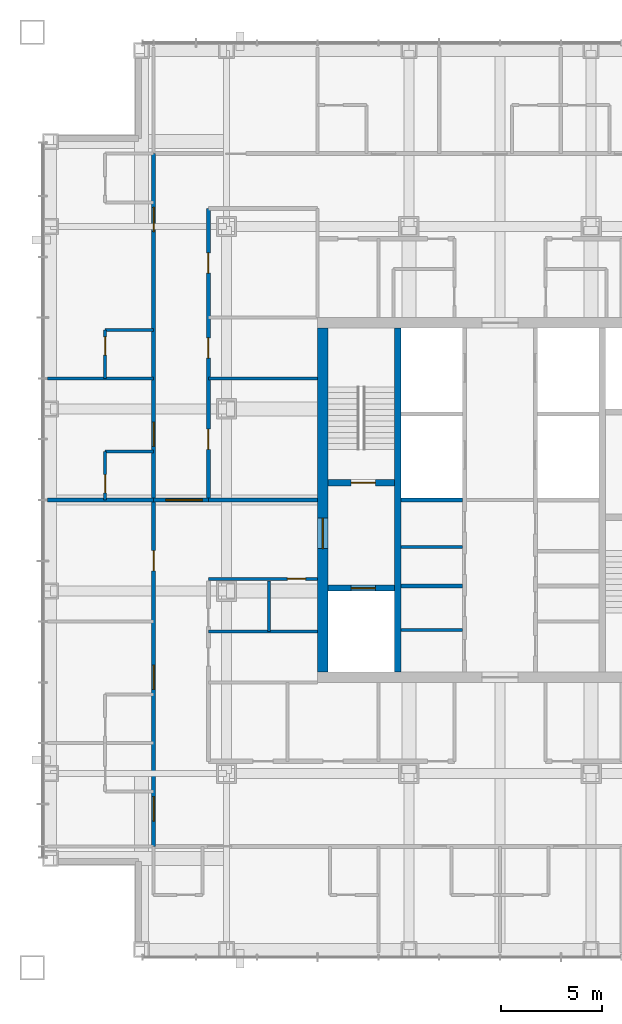
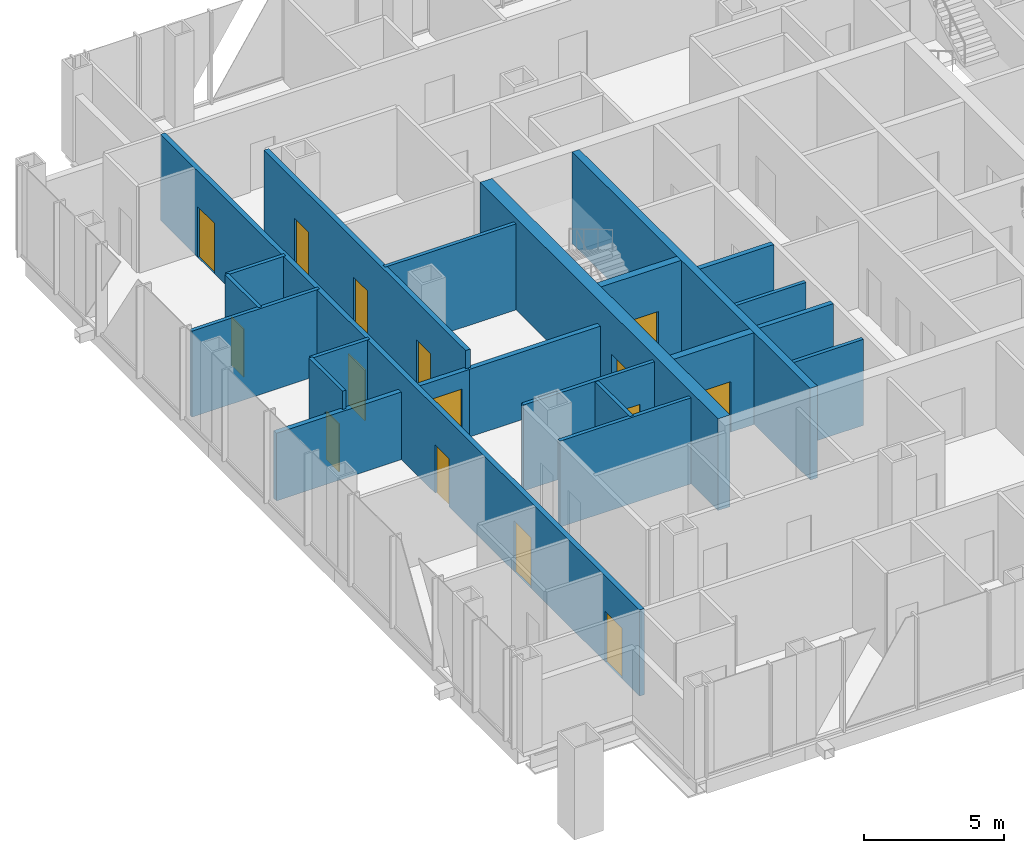
# One storey, part 13 of 18: 22 walls, 15 doors, 15 openings.
"""IFC4 building model written with IfcOpenShell, lengths in metres."""

import ifcopenshell
import ifcopenshell.guid

model = None  # the IFC model being written
_history = None  # IfcOwnerHistory: only IFC2X3 demands one
_inside = {}  # id of a spatial element -> (the spatial element, [elements in it])
_under = {}  # id of a project, library or spatial element -> (it, [spatial elements below it])
_declared = {}  # id of a project -> (the project, [libraries it declares])
_typed = {}  # id of a type object -> (the type object, [elements of that type])
_made_of = {}  # id of a material, layer set ... -> (it, [elements and type objects made of it])


def new_model(schema):
    """Start an empty IFC model of exactly this schema.

    Asked for "IFC4X3", IfcOpenShell would pick the latest addendum, in which some entities
    have other attributes; the version numbers below select the first issue.
    IFC2X3 requires an IfcOwnerHistory on every rooted entity: one is made here for all.
    """
    global model, _history
    if schema == "IFC4X3":
        model = ifcopenshell.file(schema_version=(4, 3, 0, 0))
    else:
        model = ifcopenshell.file(schema=schema)
    _inside.clear()
    _under.clear()
    _declared.clear()
    _typed.clear()
    _made_of.clear()
    _history = None
    if model.schema == "IFC2X3":
        org = make("IfcOrganization", Name="unknown")
        user = make(
            "IfcPersonAndOrganization",
            ThePerson=make("IfcPerson", FamilyName="unknown"),
            TheOrganization=org,
        )
        app = make(
            "IfcApplication",
            ApplicationDeveloper=org,
            Version="unknown",
            ApplicationFullName="unknown",
            ApplicationIdentifier="unknown",
        )
        _history = make(
            "IfcOwnerHistory",
            OwningUser=user,
            OwningApplication=app,
            ChangeAction="ADDED",
            CreationDate=0,
        )
    return model


def make(cls, **values):
    """One entity of the class cls with the attributes given. An attribute that is None is left unset."""
    return model.create_entity(
        cls, **{name: value for name, value in values.items() if value is not None}
    )


def rooted(cls, **values):
    """An entity with a GlobalId (a new one), such as an element, a storey or a relation."""
    return make(cls, GlobalId=ifcopenshell.guid.new(), OwnerHistory=_history, **values)


def si_unit(unit_type, name, prefix=None):
    """IfcSIUnit, for example si_unit("LENGTHUNIT", "METRE", prefix="MILLI")."""
    return make("IfcSIUnit", UnitType=unit_type, Prefix=prefix, Name=name)


def assignment(units):
    """IfcUnitAssignment: the units of a project."""
    return None if units is None else make("IfcUnitAssignment", Units=units)


def point(xyz):
    """IfcCartesianPoint."""
    return None if xyz is None else make("IfcCartesianPoint", Coordinates=xyz)


def direction(xyz):
    """IfcDirection."""
    return None if xyz is None else make("IfcDirection", DirectionRatios=xyz)


def frame(location, z_axis=None, x_axis=None):
    """IfcAxis2Placement3D, a coordinate frame: its origin and axes. An axis left out is left unset."""
    return make(
        "IfcAxis2Placement3D",
        Location=point(location),
        Axis=direction(z_axis),
        RefDirection=direction(x_axis),
    )


def frame_2d(location, x_axis=None):
    """IfcAxis2Placement2D, a coordinate frame in the plane: its origin and x axis."""
    return make(
        "IfcAxis2Placement2D", Location=point(location), RefDirection=direction(x_axis)
    )


def origin():
    """The frame at (0, 0, 0) with its axes left unset."""
    return frame((0.0, 0.0, 0.0))


def place(relative_to, where):
    """IfcLocalPlacement: puts the frame where relative to a parent placement (None: the world)."""
    return make(
        "IfcLocalPlacement", PlacementRelTo=relative_to, RelativePlacement=where
    )


def context(
    kind, dimensions, precision=None, world=None, true_north=None, identifier=None
):
    """IfcGeometricRepresentationContext, for example the 3D "Model" context."""
    return make(
        "IfcGeometricRepresentationContext",
        ContextIdentifier=identifier,
        ContextType=kind,
        CoordinateSpaceDimension=dimensions,
        Precision=precision,
        WorldCoordinateSystem=world,
        TrueNorth=true_north,
    )


def subcontext(parent, identifier, kind, view, scale=None):
    """IfcGeometricRepresentationSubContext, for example "Body" below "Model"."""
    return make(
        "IfcGeometricRepresentationSubContext",
        ContextIdentifier=identifier,
        ContextType=kind,
        ParentContext=parent,
        TargetScale=scale,
        TargetView=view,
    )


def project(units=None, contexts=None):
    """IfcProject with its units and contexts."""
    return rooted(
        "IfcProject",
        Name="project",
        RepresentationContexts=contexts,
        UnitsInContext=assignment(units),
    )


def spatial(cls, under=None, at=None, **own):
    """A site, building, storey or space (cls), placed at a placement, below another one or the project."""
    s = rooted(cls, ObjectPlacement=at, **own)
    if under is not None:
        _under.setdefault(under.id(), (under, []))[1].append(s)
    return s


def profile(cls, at=None, kind="AREA", **sizes):
    """A parametric profile (cls). Its sizes go by their IFC names, for example OverallWidth=200.0."""
    return make(cls, ProfileType=kind, Position=at, **sizes)


def rectangle(**sizes):
    """IfcRectangleProfileDef."""
    return profile("IfcRectangleProfileDef", **sizes)


def extrude(swept, where, along, depth):
    """IfcExtrudedAreaSolid: the profile swept, set in the frame where, extruded along a direction by depth."""
    return make(
        "IfcExtrudedAreaSolid",
        SweptArea=swept,
        Position=where,
        ExtrudedDirection=direction(along),
        Depth=depth,
    )


def shape(context_of_items, identifier, shape_type, items):
    """IfcShapeRepresentation: the items that make up one representation, for example the "Body"."""
    return make(
        "IfcShapeRepresentation",
        ContextOfItems=context_of_items,
        RepresentationIdentifier=identifier,
        RepresentationType=shape_type,
        Items=items,
    )


def material(Name=None, Category=None):
    """IfcMaterial."""
    return make("IfcMaterial", Name=Name, Category=Category)


def layer(
    of_material, thickness, ventilated=None, Name=None, Category=None, Priority=None
):
    """IfcMaterialLayer: one layer of a wall or slab, of a material (None: an air gap)."""
    return make(
        "IfcMaterialLayer",
        Material=of_material,
        LayerThickness=thickness,
        IsVentilated=ventilated,
        Name=Name,
        Category=Category,
        Priority=Priority,
    )


def layer_set(layers, Name=None):
    """IfcMaterialLayerSet."""
    return make("IfcMaterialLayerSet", MaterialLayers=layers, LayerSetName=Name)


def made_of(thing, what):
    """Note that an element or type object is made of a material, layer set ...; save() writes the relation."""
    if what is not None:
        _made_of.setdefault(what.id(), (what, []))[1].append(thing)
    return thing


def type_object(cls, material=None, **own):
    """A type object (cls), such as IfcWallType, which elements share."""
    return made_of(rooted(cls, **own), material)


def element(
    cls,
    number,
    at=None,
    inside=None,
    cuts=None,
    type_object=None,
    material=None,
    context=None,
    identifier="Body",
    shape_type=None,
    held_by="IfcProductDefinitionShape",
    body=None,
    shapes=None,
    **own,
):
    """One element of the class cls, such as IfcWall. Its Tag is "e" and its number.

    at: its placement. inside: the storey or other place that contains it. cuts: it is an
    opening in that element (IfcRelVoidsElement). A single representation is given by context,
    identifier, shape_type and body (its items); several are given by shapes. held_by: the class
    of the entity that holds the representations. save() writes the other relations.
    """
    e = rooted(cls, Tag="e%d" % number, ObjectPlacement=at, **own)
    if body is not None:
        shapes = [shape(context, identifier, shape_type, body)]
    if shapes is not None:
        e.Representation = make(held_by, Representations=shapes)
    if inside is not None:
        _inside.setdefault(inside.id(), (inside, []))[1].append(e)
    if cuts is not None:
        rooted(
            "IfcRelVoidsElement", RelatingBuildingElement=cuts, RelatedOpeningElement=e
        )
    if type_object is not None:
        _typed.setdefault(type_object.id(), (type_object, []))[1].append(e)
    return made_of(e, material)


def fill(opening, filler):
    """IfcRelFillsElement: the door or window that sits in an opening."""
    return rooted(
        "IfcRelFillsElement",
        RelatingOpeningElement=opening,
        RelatedBuildingElement=filler,
    )


def aggregate(whole, parts):
    """IfcRelAggregates: a whole, such as a stair, and the parts it consists of."""
    return rooted("IfcRelAggregates", RelatingObject=whole, RelatedObjects=parts)


def save(model, path):
    """Write the relations noted so far, then the file.

    IfcRelAggregates (storeys below a building ...), IfcRelContainedInSpatialStructure (elements
    in a storey), IfcRelDefinesByType, IfcRelAssociatesMaterial and IfcRelDeclares: one each for
    every whole, place, type object, material and project.
    """
    for whole, parts in _under.values():
        aggregate(whole, parts)
    for where, things in _inside.values():
        rooted(
            "IfcRelContainedInSpatialStructure",
            RelatedElements=things,
            RelatingStructure=where,
        )
    for kind, things in _typed.values():
        rooted("IfcRelDefinesByType", RelatedObjects=things, RelatingType=kind)
    for what, things in _made_of.values():
        rooted("IfcRelAssociatesMaterial", RelatedObjects=things, RelatingMaterial=what)
    for by, libraries in _declared.values():
        rooted("IfcRelDeclares", RelatingContext=by, RelatedDefinitions=libraries)
    model.write(path)


model = new_model("IFC4")

# Units and contexts
model_context = context("Model", 3, precision=1e-05, world=origin(), true_north=direction((0.0, 1.0)))
body_context = subcontext(model_context, "Body", "Model", "MODEL_VIEW")
ifc_project = project(units=[si_unit("LENGTHUNIT", "METRE"), si_unit("AREAUNIT", "SQUARE_METRE"), si_unit("VOLUMEUNIT", "CUBIC_METRE"), si_unit("PLANEANGLEUNIT", "RADIAN"), si_unit("MASSUNIT", "GRAM", prefix="KILO")], contexts=[model_context])

# Site, building, storey
site_placement = place(None, origin())
site = spatial("IfcSite", under=ifc_project, at=site_placement, CompositionType="ELEMENT")
building_placement = place(site_placement, origin())
building = spatial("IfcBuilding", under=site, at=building_placement, Name="Malebo Sky Hospital", CompositionType="ELEMENT")
storey_placement = place(building_placement, frame((0.0, 0.0, 225.0)))
storey = spatial("IfcBuildingStorey", under=building, at=storey_placement, Name="L54", CompositionType="ELEMENT", Elevation=225.0)

# Walls
ifc_material_1 = material(Name="Concrete C80/95", Category="concrete")
ifc_layer_1 = layer(ifc_material_1, 0.199951171875)
ifc_layer_set_1 = layer_set([ifc_layer_1], Name="CORE INNER WALL 200")
wall_type_1 = type_object("IfcWallType", Name="CORE INNER WALL 200", PredefinedType="SHEAR", material=ifc_layer_set_1)
for number, where, z_axis, x_axis, name in (
    (1, (55.10009765625, 57.75, 0.0), (0.0, 0.0, 1.0), (1.0, 0.0, 0.0), "Core wall SW0 L54"),
    (2, (55.10009765625, 62.0, 0.0), (0.0, 0.0, 1.0), (1.0, 0.0, 0.0), "Core wall SW1 L54"),
):
    element("IfcWall", number, at=place(storey_placement, frame(where, z_axis=z_axis, x_axis=x_axis)), inside=storey, type_object=wall_type_1, Name=name, PredefinedType="SHEAR", context=body_context, shape_type="SweptSolid", body=[
        extrude(rectangle(XDim=3.0498046875, YDim=0.199951171875, at=frame_2d((1.52490234375, 0.0))), origin(), (0.0, 0.0, 1.0), 4.0),
    ])
ifc_layer_2 = layer(ifc_material_1, 0.300048828125)
ifc_layer_set_2 = layer_set([ifc_layer_2], Name="CORE INNER WALL 300")
wall_type_2 = type_object("IfcWallType", Name="CORE INNER WALL 300", PredefinedType="SHEAR", material=ifc_layer_set_2)
wall_1_placement = place(storey_placement, frame((54.949951171875, 53.5, 0.0), z_axis=(0.0, 0.0, 1.0), x_axis=(0.0, 1.0, 0.0)))
element("IfcWall", 3, at=wall_1_placement, inside=storey, type_object=wall_type_2, Name="Core wall XW L54", PredefinedType="SHEAR", context=body_context, shape_type="SweptSolid", body=[
    extrude(rectangle(XDim=17.0, YDim=0.300048828125, at=frame_2d((8.5, 0.0))), origin(), (0.0, 0.0, 1.0), 4.0),
])

# Wall, opening, door
wall_2_placement = place(storey_placement, frame((51.5, 62.85009765625, 0.0), z_axis=(0.0, 0.0, 1.0), x_axis=(1.0, 0.0, 0.0)))
wall_2 = element("IfcWall", 4, at=wall_2_placement, inside=storey, type_object=wall_type_2, Name="Core wall W1 L54", PredefinedType="SHEAR", context=body_context, shape_type="SweptSolid", body=[
    extrude(rectangle(XDim=3.300048828125, YDim=0.300048828125, at=frame_2d((1.64990234375, 0.0))), origin(), (0.0, 0.0, 1.0), 4.0),
])
opening_1_placement = place(wall_2_placement, frame((1.14990234375, 0.0, 0.0)))
opening_1 = element("IfcOpeningElement", 5, at=opening_1_placement, cuts=wall_2, Name="Opening D08", PredefinedType="OPENING", context=body_context, shape_type="SweptSolid", body=[
    extrude(rectangle(XDim=1.199951171875, YDim=2.10009765625, at=frame_2d((0.60009765625, 1.050048828125))), frame((0.0, 0.159912109375, 0.0), z_axis=(0.0, -1.0, 0.0), x_axis=(1.0, 0.0, 0.0)), (0.0, 0.0, 1.0), 0.320068359375),
])
ifc_material_2 = material(Name="Hardwood-faced door leaf in steel frame", Category="steel")
door_type_1 = type_object("IfcDoorType", Name="STAIR DOOR 1200", OperationType="SINGLE_SWING_LEFT", PredefinedType="DOOR", material=ifc_material_2)
door_1_placement = place(opening_1_placement, origin())
door_1 = element("IfcDoor", 6, at=door_1_placement, inside=storey, type_object=door_type_1, Name="Stair S1 door", OperationType="SINGLE_SWING_RIGHT", OverallHeight=2.10009765625, OverallWidth=1.199951171875, PredefinedType="DOOR", context=body_context, shape_type="SweptSolid", body=[
    extrude(rectangle(XDim=1.199951171875, YDim=2.10009765625, at=frame_2d((0.60009765625, 1.050048828125))), frame((0.0, 0.02490234375, 0.0), z_axis=(0.0, -1.0, 0.0), x_axis=(1.0, 0.0, 0.0)), (0.0, 0.0, 1.0), 0.050048828125),
])
fill(opening_1, door_1)

wall_3_placement = place(storey_placement, frame((51.5, 57.64990234375, 0.0), z_axis=(0.0, 0.0, 1.0), x_axis=(1.0, 0.0, 0.0)))
wall_3 = element("IfcWall", 7, at=wall_3_placement, inside=storey, type_object=wall_type_2, Name="Core wall W2 L54", PredefinedType="SHEAR", context=body_context, shape_type="SweptSolid", body=[
    extrude(rectangle(XDim=3.300048828125, YDim=0.300048828125, at=frame_2d((1.64990234375, 0.0))), origin(), (0.0, 0.0, 1.0), 4.0),
])
opening_2_placement = place(wall_3_placement, frame((1.14990234375, 0.0, 0.0)))
opening_2 = element("IfcOpeningElement", 8, at=opening_2_placement, cuts=wall_3, Name="Opening LD2", PredefinedType="OPENING", context=body_context, shape_type="SweptSolid", body=[
    extrude(rectangle(XDim=1.199951171875, YDim=2.199951171875, at=frame_2d((0.60009765625, 1.10009765625))), frame((0.0, 0.159912109375, 0.0), z_axis=(0.0, -1.0, 0.0), x_axis=(1.0, 0.0, 0.0)), (0.0, 0.0, 1.0), 0.320068359375),
])
ifc_material_3 = material(Name="Stainless steel sliding landing door", Category="steel")
door_type_2 = type_object("IfcDoorType", Name="FIRE-FIGHTING LIFT LANDING DOOR 1200", OperationType="SLIDING_TO_LEFT", PredefinedType="DOOR", material=ifc_material_3)
door_2_placement = place(opening_2_placement, origin())
door_2 = element("IfcDoor", 9, at=door_2_placement, inside=storey, type_object=door_type_2, Name="Lift FL1 landing door", OperationType="SLIDING_TO_LEFT", OverallHeight=2.199951171875, OverallWidth=1.199951171875, PredefinedType="DOOR", context=body_context, shape_type="SweptSolid", body=[
    extrude(rectangle(XDim=1.199951171875, YDim=2.199951171875, at=frame_2d((0.60009765625, 1.10009765625))), frame((0.0, 0.02490234375, 0.0), z_axis=(0.0, -1.0, 0.0), x_axis=(1.0, 0.0, 0.0)), (0.0, 0.0, 1.0), 0.050048828125),
])
fill(opening_2, door_2)

ifc_layer_3 = layer(ifc_material_1, 0.5)
ifc_layer_set_3 = layer_set([ifc_layer_3], Name="CORE WALL 500")
wall_type_3 = type_object("IfcWallType", Name="CORE WALL 500", PredefinedType="SHEAR", material=ifc_layer_set_3)
wall_4_placement = place(storey_placement, frame((51.25, 53.5, 0.0), z_axis=(0.0, 0.0, 1.0), x_axis=(0.0, 1.0, 0.0)))
wall_4 = element("IfcWall", 10, at=wall_4_placement, inside=storey, type_object=wall_type_3, Name="Core wall W L54", PredefinedType="SHEAR", context=body_context, shape_type="SweptSolid", body=[
    extrude(rectangle(XDim=17.0, YDim=0.5, at=frame_2d((8.5, 0.0))), origin(), (0.0, 0.0, 1.0), 4.0),
])
opening_3_placement = place(wall_4_placement, frame((6.10009765625, 0.0, 0.0)))
opening_3 = element("IfcOpeningElement", 11, at=opening_3_placement, cuts=wall_4, Name="Opening D07", PredefinedType="OPENING", context=body_context, shape_type="SweptSolid", body=[
    extrude(rectangle(XDim=1.5, YDim=2.199951171875, at=frame_2d((0.75, 1.10009765625))), frame((0.0, 0.260009765625, 0.0), z_axis=(0.0, -1.0, 0.0), x_axis=(1.0, 0.0, 0.0)), (0.0, 0.0, 1.0), 0.52001953125),
])
door_type_3 = type_object("IfcDoorType", Name="FIRE-FIGHTING LOBBY DOOR PAIR 1500", OperationType="DOUBLE_DOOR_SINGLE_SWING", PredefinedType="DOOR", material=ifc_material_2)
door_3_placement = place(opening_3_placement, origin())
door_3 = element("IfcDoor", 12, at=door_3_placement, inside=storey, type_object=door_type_3, Name="Fire-fighting lobby door west", OperationType="DOUBLE_DOOR_SINGLE_SWING", OverallHeight=2.199951171875, OverallWidth=1.5, PredefinedType="DOOR", context=body_context, shape_type="SweptSolid", body=[
    extrude(rectangle(XDim=1.5, YDim=2.199951171875, at=frame_2d((0.75, 1.10009765625))), frame((0.0, 0.02490234375, 0.0), z_axis=(0.0, -1.0, 0.0), x_axis=(1.0, 0.0, 0.0)), (0.0, 0.0, 1.0), 0.050048828125),
])
fill(opening_3, door_3)

# Wall, openings, doors
ifc_material_4 = material(Name="Gypsum board on steel studs", Category="steel")
ifc_layer_4 = layer(ifc_material_4, 0.199951171875)
ifc_layer_set_4 = layer_set([ifc_layer_4], Name="CORRIDOR WALL 200")
wall_type_4 = type_object("IfcWallType", Name="CORRIDOR WALL 200", PredefinedType="PARTITIONING", material=ifc_layer_set_4)
wall_5_placement = place(storey_placement, frame((42.89990234375, 44.89990234375, 0.0), z_axis=(0.0, 0.0, 1.0), x_axis=(0.0, 1.0, 0.0)))
wall_5 = element("IfcWall", 13, at=wall_5_placement, inside=storey, type_object=wall_type_4, Name="Corridor Wall 200 WCO", PredefinedType="PARTITIONING", context=body_context, shape_type="SweptSolid", body=[
    extrude(rectangle(XDim=34.2001953125, YDim=0.199951171875, at=frame_2d((17.10009765625, 0.0))), origin(), (0.0, 0.0, 1.0), 3.75),
])
opening_4_placement = place(wall_5_placement, frame((1.25, 0.0, 0.0)))
opening_4 = element("IfcOpeningElement", 14, at=opening_4_placement, cuts=wall_5, Name="Opening D01", PredefinedType="OPENING", context=body_context, shape_type="SweptSolid", body=[
    extrude(rectangle(XDim=1.199951171875, YDim=2.199951171875, at=frame_2d((0.60009765625, 1.10009765625))), frame((0.0, 0.10986328125, 0.0), z_axis=(0.0, -1.0, 0.0), x_axis=(1.0, 0.0, 0.0)), (0.0, 0.0, 1.0), 0.219970703125),
])
opening_5_placement = place(wall_5_placement, frame((7.75, 0.0, 0.0)))
opening_5 = element("IfcOpeningElement", 15, at=opening_5_placement, cuts=wall_5, Name="Opening D01", PredefinedType="OPENING", context=body_context, shape_type="SweptSolid", body=[
    extrude(rectangle(XDim=1.199951171875, YDim=2.199951171875, at=frame_2d((0.60009765625, 1.10009765625))), frame((0.0, 0.10986328125, 0.0), z_axis=(0.0, -1.0, 0.0), x_axis=(1.0, 0.0, 0.0)), (0.0, 0.0, 1.0), 0.219970703125),
])
opening_6_placement = place(wall_5_placement, frame((13.60009765625, 0.0, 0.0)))
opening_6 = element("IfcOpeningElement", 16, at=opening_6_placement, cuts=wall_5, Name="Opening D03", PredefinedType="OPENING", context=body_context, shape_type="SweptSolid", body=[
    extrude(rectangle(XDim=1.0, YDim=2.10009765625, at=frame_2d((0.5, 1.050048828125))), frame((0.0, 0.10986328125, 0.0), z_axis=(0.0, -1.0, 0.0), x_axis=(1.0, 0.0, 0.0)), (0.0, 0.0, 1.0), 0.219970703125),
])
opening_7_placement = place(wall_5_placement, frame((19.75, 0.0, 0.0)))
opening_7 = element("IfcOpeningElement", 17, at=opening_7_placement, cuts=wall_5, Name="Opening D01", PredefinedType="OPENING", context=body_context, shape_type="SweptSolid", body=[
    extrude(rectangle(XDim=1.199951171875, YDim=2.199951171875, at=frame_2d((0.60009765625, 1.10009765625))), frame((0.0, 0.10986328125, 0.0), z_axis=(0.0, -1.0, 0.0), x_axis=(1.0, 0.0, 0.0)), (0.0, 0.0, 1.0), 0.219970703125),
])
opening_8_placement = place(wall_5_placement, frame((30.35009765625, 0.0, 0.0)))
opening_8 = element("IfcOpeningElement", 18, at=opening_8_placement, cuts=wall_5, Name="Opening D01", PredefinedType="OPENING", context=body_context, shape_type="SweptSolid", body=[
    extrude(rectangle(XDim=1.199951171875, YDim=2.199951171875, at=frame_2d((0.60009765625, 1.10009765625))), frame((0.0, 0.10986328125, 0.0), z_axis=(0.0, -1.0, 0.0), x_axis=(1.0, 0.0, 0.0)), (0.0, 0.0, 1.0), 0.219970703125),
])
door_type_4 = type_object("IfcDoorType", Name="BED DOOR 1200", OperationType="SINGLE_SWING_LEFT", PredefinedType="DOOR", material=ifc_material_2)
door_4_placement = place(opening_4_placement, origin())
door_4 = element("IfcDoor", 19, at=door_4_placement, inside=storey, type_object=door_type_4, Name="Single bed room door", OperationType="SINGLE_SWING_RIGHT", OverallHeight=2.199951171875, OverallWidth=1.199951171875, PredefinedType="DOOR", context=body_context, shape_type="SweptSolid", body=[
    extrude(rectangle(XDim=1.199951171875, YDim=2.199951171875, at=frame_2d((0.60009765625, 1.10009765625))), frame((0.0, 0.02490234375, 0.0), z_axis=(0.0, -1.0, 0.0), x_axis=(1.0, 0.0, 0.0)), (0.0, 0.0, 1.0), 0.050048828125),
])
fill(opening_4, door_4)
door_5_placement = place(opening_5_placement, origin())
door_5 = element("IfcDoor", 20, at=door_5_placement, inside=storey, type_object=door_type_4, Name="Single bed room door", OperationType="SINGLE_SWING_LEFT", OverallHeight=2.199951171875, OverallWidth=1.199951171875, PredefinedType="DOOR", context=body_context, shape_type="SweptSolid", body=[
    extrude(rectangle(XDim=1.199951171875, YDim=2.199951171875, at=frame_2d((0.60009765625, 1.10009765625))), frame((0.0, 0.02490234375, 0.0), z_axis=(0.0, -1.0, 0.0), x_axis=(1.0, 0.0, 0.0)), (0.0, 0.0, 1.0), 0.050048828125),
])
fill(opening_5, door_5)
door_6_placement = place(opening_7_placement, origin())
door_6 = element("IfcDoor", 21, at=door_6_placement, inside=storey, type_object=door_type_4, Name="Parent room door", OperationType="SINGLE_SWING_LEFT", OverallHeight=2.199951171875, OverallWidth=1.199951171875, PredefinedType="DOOR", context=body_context, shape_type="SweptSolid", body=[
    extrude(rectangle(XDim=1.199951171875, YDim=2.199951171875, at=frame_2d((0.60009765625, 1.10009765625))), frame((0.0, 0.02490234375, 0.0), z_axis=(0.0, -1.0, 0.0), x_axis=(1.0, 0.0, 0.0)), (0.0, 0.0, 1.0), 0.050048828125),
])
fill(opening_7, door_6)
door_7_placement = place(opening_8_placement, origin())
door_7 = element("IfcDoor", 22, at=door_7_placement, inside=storey, type_object=door_type_4, Name="Four-bed bay door", OperationType="SINGLE_SWING_RIGHT", OverallHeight=2.199951171875, OverallWidth=1.199951171875, PredefinedType="DOOR", context=body_context, shape_type="SweptSolid", body=[
    extrude(rectangle(XDim=1.199951171875, YDim=2.199951171875, at=frame_2d((0.60009765625, 1.10009765625))), frame((0.0, 0.02490234375, 0.0), z_axis=(0.0, -1.0, 0.0), x_axis=(1.0, 0.0, 0.0)), (0.0, 0.0, 1.0), 0.050048828125),
])
fill(opening_8, door_7)
door_type_5 = type_object("IfcDoorType", Name="ROOM DOOR 1000", OperationType="SINGLE_SWING_LEFT", PredefinedType="DOOR", material=ifc_material_2)
door_8_placement = place(opening_6_placement, origin())
door_8 = element("IfcDoor", 23, at=door_8_placement, inside=storey, type_object=door_type_5, Name="Quiet room door", OperationType="SINGLE_SWING_RIGHT", OverallHeight=2.10009765625, OverallWidth=1.0, PredefinedType="DOOR", context=body_context, shape_type="SweptSolid", body=[
    extrude(rectangle(XDim=1.0, YDim=2.10009765625, at=frame_2d((0.5, 1.050048828125))), frame((0.0, 0.02490234375, 0.0), z_axis=(0.0, -1.0, 0.0), x_axis=(1.0, 0.0, 0.0)), (0.0, 0.0, 1.0), 0.050048828125),
])
fill(opening_6, door_8)

wall_6_placement = place(storey_placement, frame((45.60009765625, 62.0, 0.0), z_axis=(0.0, 0.0, 1.0), x_axis=(0.0, 1.0, 0.0)))
wall_6 = element("IfcWall", 24, at=wall_6_placement, inside=storey, type_object=wall_type_4, Name="Corridor Wall 200 WCI2", PredefinedType="PARTITIONING", context=body_context, shape_type="SweptSolid", body=[
    extrude(rectangle(XDim=14.39990234375, YDim=0.199951171875, at=frame_2d((7.199951171875, 0.0))), origin(), (0.0, 0.0, 1.0), 3.75),
])
opening_9_placement = place(wall_6_placement, frame((2.5, 0.0, 0.0)))
opening_9 = element("IfcOpeningElement", 25, at=opening_9_placement, cuts=wall_6, Name="Opening D03", PredefinedType="OPENING", context=body_context, shape_type="SweptSolid", body=[
    extrude(rectangle(XDim=1.0, YDim=2.10009765625, at=frame_2d((0.5, 1.050048828125))), frame((0.0, 0.10986328125, 0.0), z_axis=(0.0, -1.0, 0.0), x_axis=(1.0, 0.0, 0.0)), (0.0, 0.0, 1.0), 0.219970703125),
])
opening_10_placement = place(wall_6_placement, frame((7.0, 0.0, 0.0)))
opening_10 = element("IfcOpeningElement", 26, at=opening_10_placement, cuts=wall_6, Name="Opening D03", PredefinedType="OPENING", context=body_context, shape_type="SweptSolid", body=[
    extrude(rectangle(XDim=1.0, YDim=2.10009765625, at=frame_2d((0.5, 1.050048828125))), frame((0.0, 0.10986328125, 0.0), z_axis=(0.0, -1.0, 0.0), x_axis=(1.0, 0.0, 0.0)), (0.0, 0.0, 1.0), 0.219970703125),
])
opening_11_placement = place(wall_6_placement, frame((11.199951171875, 0.0, 0.0)))
opening_11 = element("IfcOpeningElement", 27, at=opening_11_placement, cuts=wall_6, Name="Opening D03", PredefinedType="OPENING", context=body_context, shape_type="SweptSolid", body=[
    extrude(rectangle(XDim=1.0, YDim=2.10009765625, at=frame_2d((0.5, 1.050048828125))), frame((0.0, 0.10986328125, 0.0), z_axis=(0.0, -1.0, 0.0), x_axis=(1.0, 0.0, 0.0)), (0.0, 0.0, 1.0), 0.219970703125),
])
door_9_placement = place(opening_9_placement, origin())
door_9 = element("IfcDoor", 28, at=door_9_placement, inside=storey, type_object=door_type_5, Name="Nurse station door", OperationType="SINGLE_SWING_LEFT", OverallHeight=2.10009765625, OverallWidth=1.0, PredefinedType="DOOR", context=body_context, shape_type="SweptSolid", body=[
    extrude(rectangle(XDim=1.0, YDim=2.10009765625, at=frame_2d((0.5, 1.050048828125))), frame((0.0, 0.02490234375, 0.0), z_axis=(0.0, -1.0, 0.0), x_axis=(1.0, 0.0, 0.0)), (0.0, 0.0, 1.0), 0.050048828125),
])
fill(opening_9, door_9)
door_10_placement = place(opening_10_placement, origin())
door_10 = element("IfcDoor", 29, at=door_10_placement, inside=storey, type_object=door_type_5, Name="Play room door", OperationType="SINGLE_SWING_LEFT", OverallHeight=2.10009765625, OverallWidth=1.0, PredefinedType="DOOR", context=body_context, shape_type="SweptSolid", body=[
    extrude(rectangle(XDim=1.0, YDim=2.10009765625, at=frame_2d((0.5, 1.050048828125))), frame((0.0, 0.02490234375, 0.0), z_axis=(0.0, -1.0, 0.0), x_axis=(1.0, 0.0, 0.0)), (0.0, 0.0, 1.0), 0.050048828125),
])
fill(opening_10, door_10)
door_11_placement = place(opening_11_placement, origin())
door_11 = element("IfcDoor", 30, at=door_11_placement, inside=storey, type_object=door_type_5, Name="Treatment room door", OperationType="SINGLE_SWING_RIGHT", OverallHeight=2.10009765625, OverallWidth=1.0, PredefinedType="DOOR", context=body_context, shape_type="SweptSolid", body=[
    extrude(rectangle(XDim=1.0, YDim=2.10009765625, at=frame_2d((0.5, 1.050048828125))), frame((0.0, 0.02490234375, 0.0), z_axis=(0.0, -1.0, 0.0), x_axis=(1.0, 0.0, 0.0)), (0.0, 0.0, 1.0), 0.050048828125),
])
fill(opening_11, door_11)

# Wall
ifc_layer_5 = layer(ifc_material_4, 0.14990234375)
ifc_layer_set_5 = layer_set([ifc_layer_5], Name="PARTITION 150")
wall_type_5 = type_object("IfcWallType", Name="PARTITION 150", PredefinedType="PARTITIONING", material=ifc_layer_set_5)
wall_7_placement = place(storey_placement, frame((42.89990234375, 68.0, 0.0), z_axis=(0.0, 0.0, 1.0), x_axis=(-1.0, 0.0, 0.0)))
element("IfcWall", 31, at=wall_7_placement, inside=storey, type_object=wall_type_5, Name="Partition 150 WP+6.0", PredefinedType="PARTITIONING", context=body_context, shape_type="SweptSolid", body=[
    extrude(rectangle(XDim=5.25, YDim=0.14990234375, at=frame_2d((2.625, 0.0))), origin(), (0.0, 0.0, 1.0), 3.75),
])

# Wall, opening, door
wall_8_placement = place(storey_placement, frame((40.5, 62.0, 0.0), z_axis=(0.0, 0.0, 1.0), x_axis=(0.0, 1.0, 0.0)))
wall_8 = element("IfcWall", 32, at=wall_8_placement, inside=storey, type_object=wall_type_5, Name="Partition 150 WE3F", PredefinedType="PARTITIONING", context=body_context, shape_type="SweptSolid", body=[
    extrude(rectangle(XDim=2.39990234375, YDim=0.14990234375, at=frame_2d((1.199951171875, 0.0))), origin(), (0.0, 0.0, 1.0), 3.75),
])
opening_12_placement = place(wall_8_placement, frame((0.35009765625, 0.0, 0.0)))
opening_12 = element("IfcOpeningElement", 33, at=opening_12_placement, cuts=wall_8, Name="Opening D02", PredefinedType="OPENING", context=body_context, shape_type="SweptSolid", body=[
    extrude(rectangle(XDim=0.89990234375, YDim=2.10009765625, at=frame_2d((0.449951171875, 1.050048828125))), frame((0.0, 0.0849609375, 0.0), z_axis=(0.0, -1.0, 0.0), x_axis=(1.0, 0.0, 0.0)), (0.0, 0.0, 1.0), 0.169921875),
])
door_type_6 = type_object("IfcDoorType", Name="EN-SUITE DOOR 900", OperationType="SINGLE_SWING_LEFT", PredefinedType="DOOR", material=ifc_material_2)
door_12_placement = place(opening_12_placement, origin())
door_12 = element("IfcDoor", 34, at=door_12_placement, inside=storey, type_object=door_type_6, Name="En-suite door", OperationType="SINGLE_SWING_LEFT", OverallHeight=2.10009765625, OverallWidth=0.89990234375, PredefinedType="DOOR", context=body_context, shape_type="SweptSolid", body=[
    extrude(rectangle(XDim=0.89990234375, YDim=2.10009765625, at=frame_2d((0.449951171875, 1.050048828125))), frame((0.0, 0.02490234375, 0.0), z_axis=(0.0, -1.0, 0.0), x_axis=(1.0, 0.0, 0.0)), (0.0, 0.0, 1.0), 0.050048828125),
])
fill(opening_12, door_12)

# Wall
wall_9_placement = place(storey_placement, frame((42.89990234375, 64.39990234375, 0.0), z_axis=(0.0, 0.0, 1.0), x_axis=(-1.0, 0.0, 0.0)))
element("IfcWall", 35, at=wall_9_placement, inside=storey, type_object=wall_type_5, Name="Partition 150 WE3S", PredefinedType="PARTITIONING", context=body_context, shape_type="SweptSolid", body=[
    extrude(rectangle(XDim=2.39990234375, YDim=0.14990234375, at=frame_2d((1.199951171875, 0.0))), origin(), (0.0, 0.0, 1.0), 3.75),
])

# Wall, opening, door
wall_10_placement = place(storey_placement, frame((40.5, 68.0, 0.0), z_axis=(0.0, 0.0, 1.0), x_axis=(0.0, 1.0, 0.0)))
wall_10 = element("IfcWall", 36, at=wall_10_placement, inside=storey, type_object=wall_type_5, Name="Partition 150 WG4F", PredefinedType="PARTITIONING", context=body_context, shape_type="SweptSolid", body=[
    extrude(rectangle(XDim=2.39990234375, YDim=0.14990234375, at=frame_2d((1.199951171875, 0.0))), origin(), (0.0, 0.0, 1.0), 3.75),
])
opening_13_placement = place(wall_10_placement, frame((1.14990234375, 0.0, 0.0)))
opening_13 = element("IfcOpeningElement", 37, at=opening_13_placement, cuts=wall_10, Name="Opening D02", PredefinedType="OPENING", context=body_context, shape_type="SweptSolid", body=[
    extrude(rectangle(XDim=0.89990234375, YDim=2.10009765625, at=frame_2d((0.449951171875, 1.050048828125))), frame((0.0, 0.0849609375, 0.0), z_axis=(0.0, -1.0, 0.0), x_axis=(1.0, 0.0, 0.0)), (0.0, 0.0, 1.0), 0.169921875),
])
door_13_placement = place(opening_13_placement, origin())
door_13 = element("IfcDoor", 38, at=door_13_placement, inside=storey, type_object=door_type_6, Name="En-suite door", OperationType="SINGLE_SWING_RIGHT", OverallHeight=2.10009765625, OverallWidth=0.89990234375, PredefinedType="DOOR", context=body_context, shape_type="SweptSolid", body=[
    extrude(rectangle(XDim=0.89990234375, YDim=2.10009765625, at=frame_2d((0.449951171875, 1.050048828125))), frame((0.0, 0.02490234375, 0.0), z_axis=(0.0, -1.0, 0.0), x_axis=(1.0, 0.0, 0.0)), (0.0, 0.0, 1.0), 0.050048828125),
])
fill(opening_13, door_13)

# Wall
wall_11_placement = place(storey_placement, frame((42.89990234375, 70.39990234375, 0.0), z_axis=(0.0, 0.0, 1.0), x_axis=(-1.0, 0.0, 0.0)))
element("IfcWall", 39, at=wall_11_placement, inside=storey, type_object=wall_type_5, Name="Partition 150 WG4S", PredefinedType="PARTITIONING", context=body_context, shape_type="SweptSolid", body=[
    extrude(rectangle(XDim=2.39990234375, YDim=0.14990234375, at=frame_2d((1.199951171875, 0.0))), origin(), (0.0, 0.0, 1.0), 3.75),
])

# Wall, opening, door
wall_12_placement = place(storey_placement, frame((51.0, 58.10009765625, 0.0), z_axis=(0.0, 0.0, 1.0), x_axis=(-1.0, 0.0, 0.0)))
wall_12 = element("IfcWall", 40, at=wall_12_placement, inside=storey, type_object=wall_type_5, Name="Partition 150 WSPA", PredefinedType="PARTITIONING", context=body_context, shape_type="SweptSolid", body=[
    extrude(rectangle(XDim=5.39990234375, YDim=0.14990234375, at=frame_2d((2.699951171875, 0.0))), origin(), (0.0, 0.0, 1.0), 3.75),
])
opening_14_placement = place(wall_12_placement, frame((0.60009765625, 0.0, 0.0)))
opening_14 = element("IfcOpeningElement", 41, at=opening_14_placement, cuts=wall_12, Name="Opening D04", PredefinedType="OPENING", context=body_context, shape_type="SweptSolid", body=[
    extrude(rectangle(XDim=0.89990234375, YDim=2.10009765625, at=frame_2d((0.449951171875, 1.050048828125))), frame((0.0, 0.0849609375, 0.0), z_axis=(0.0, -1.0, 0.0), x_axis=(1.0, 0.0, 0.0)), (0.0, 0.0, 1.0), 0.169921875),
])
door_type_7 = type_object("IfcDoorType", Name="ROOM DOOR 900", OperationType="SINGLE_SWING_LEFT", PredefinedType="DOOR", material=ifc_material_2)
door_14_placement = place(opening_14_placement, origin())
door_14 = element("IfcDoor", 42, at=door_14_placement, inside=storey, type_object=door_type_7, Name="Cleaner's room door", OperationType="SINGLE_SWING_LEFT", OverallHeight=2.10009765625, OverallWidth=0.89990234375, PredefinedType="DOOR", context=body_context, shape_type="SweptSolid", body=[
    extrude(rectangle(XDim=0.89990234375, YDim=2.10009765625, at=frame_2d((0.449951171875, 1.050048828125))), frame((0.0, 0.02490234375, 0.0), z_axis=(0.0, -1.0, 0.0), x_axis=(1.0, 0.0, 0.0)), (0.0, 0.0, 1.0), 0.050048828125),
])
fill(opening_14, door_14)

# Walls
for number, where, z_axis, x_axis, name in (
    (43, (51.0, 55.5, 0.0), (0.0, 0.0, 1.0), (-1.0, 0.0, 0.0), "Partition 150 WSP-6.5"),
    (44, (51.0, 68.0, 0.0), (0.0, 0.0, 1.0), (-1.0, 0.0, 0.0), "Partition 150 WSP+6.0"),
):
    element("IfcWall", number, at=place(storey_placement, frame(where, z_axis=z_axis, x_axis=x_axis)), inside=storey, type_object=wall_type_5, Name=name, PredefinedType="PARTITIONING", context=body_context, shape_type="SweptSolid", body=[
        extrude(rectangle(XDim=5.39990234375, YDim=0.14990234375, at=frame_2d((2.699951171875, 0.0))), origin(), (0.0, 0.0, 1.0), 3.75),
    ])
wall_13_placement = place(storey_placement, frame((48.60009765625, 55.5, 0.0), z_axis=(0.0, 0.0, 1.0), x_axis=(0.0, 1.0, 0.0)))
element("IfcWall", 45, at=wall_13_placement, inside=storey, type_object=wall_type_5, Name="Partition 150 WSX1", PredefinedType="PARTITIONING", context=body_context, shape_type="SweptSolid", body=[
    extrude(rectangle(XDim=2.5, YDim=0.14990234375, at=frame_2d((1.25, 0.0))), origin(), (0.0, 0.0, 1.0), 3.75),
])
for number, where, z_axis, x_axis, name in (
    (46, (55.10009765625, 55.574951171875, 0.0), (0.0, 0.0, 1.0), (1.0, 0.0, 0.0), "Partition 150 SHW1"),
    (47, (55.10009765625, 59.673095703125, 0.0), (0.0, 0.0, 1.0), (1.0, 0.0, 0.0), "Partition 150 SHW2"),
):
    element("IfcWall", number, at=place(storey_placement, frame(where, z_axis=z_axis, x_axis=x_axis)), inside=storey, type_object=wall_type_5, Name=name, PredefinedType="PARTITIONING", context=body_context, shape_type="SweptSolid", body=[
        extrude(rectangle(XDim=3.0498046875, YDim=0.14990234375, at=frame_2d((1.52490234375, 0.0))), origin(), (0.0, 0.0, 1.0), 3.75),
    ])
ifc_material_5 = material(Name="Concrete blockwork", Category="masonry")
ifc_layer_6 = layer(ifc_material_5, 0.199951171875)
ifc_layer_set_6 = layer_set([ifc_layer_6], Name="SMOKE BARRIER WALL 200")
wall_type_6 = type_object("IfcWallType", Name="SMOKE BARRIER WALL 200", PredefinedType="SOLIDWALL", material=ifc_layer_set_6)
wall_14_placement = place(storey_placement, frame((42.89990234375, 62.0, 0.0), z_axis=(0.0, 0.0, 1.0), x_axis=(-1.0, 0.0, 0.0)))
element("IfcWall", 48, at=wall_14_placement, inside=storey, type_object=wall_type_6, Name="Smoke Barrier Wall 200 WP+0.0", PredefinedType="SOLIDWALL", context=body_context, shape_type="SweptSolid", body=[
    extrude(rectangle(XDim=5.25, YDim=0.199951171875, at=frame_2d((2.625, 0.0))), origin(), (0.0, 0.0, 1.0), 2.949951171875),
])
wall_15_placement = place(storey_placement, frame((51.0, 62.0, 0.0), z_axis=(0.0, 0.0, 1.0), x_axis=(-1.0, 0.0, 0.0)))
element("IfcWall", 49, at=wall_15_placement, inside=storey, type_object=wall_type_6, Name="Smoke Barrier Wall 200 WSPB", PredefinedType="SOLIDWALL", context=body_context, shape_type="SweptSolid", body=[
    extrude(rectangle(XDim=5.39990234375, YDim=0.199951171875, at=frame_2d((2.699951171875, 0.0))), origin(), (0.0, 0.0, 1.0), 2.949951171875),
])

# Wall, opening, door
wall_16_placement = place(storey_placement, frame((45.60009765625, 62.0, 0.0), z_axis=(0.0, 0.0, 1.0), x_axis=(-1.0, 0.0, 0.0)))
wall_16 = element("IfcWall", 50, at=wall_16_placement, inside=storey, type_object=wall_type_6, Name="Smoke Barrier Wall 200 WSB", PredefinedType="SOLIDWALL", context=body_context, shape_type="SweptSolid", body=[
    extrude(rectangle(XDim=2.7001953125, YDim=0.199951171875, at=frame_2d((1.35009765625, 0.0))), origin(), (0.0, 0.0, 1.0), 2.949951171875),
])
opening_15_placement = place(wall_16_placement, frame((0.300048828125, 0.0, 0.0)))
opening_15 = element("IfcOpeningElement", 51, at=opening_15_placement, cuts=wall_16, Name="Opening D05", PredefinedType="OPENING", context=body_context, shape_type="SweptSolid", body=[
    extrude(rectangle(XDim=1.800048828125, YDim=2.199951171875, at=frame_2d((0.89990234375, 1.10009765625))), frame((0.0, 0.10986328125, 0.0), z_axis=(0.0, -1.0, 0.0), x_axis=(1.0, 0.0, 0.0)), (0.0, 0.0, 1.0), 0.219970703125),
])
door_type_8 = type_object("IfcDoorType", Name="SMOKE DOOR PAIR 1800", OperationType="DOUBLE_DOOR_DOUBLE_SWING", PredefinedType="DOOR", material=ifc_material_2)
door_15_placement = place(opening_15_placement, origin())
door_15 = element("IfcDoor", 52, at=door_15_placement, inside=storey, type_object=door_type_8, Name="Smoke compartment door pair", OperationType="DOUBLE_DOOR_DOUBLE_SWING", OverallHeight=2.199951171875, OverallWidth=1.800048828125, PredefinedType="DOOR", context=body_context, shape_type="SweptSolid", body=[
    extrude(rectangle(XDim=1.800048828125, YDim=2.199951171875, at=frame_2d((0.89990234375, 1.10009765625))), frame((0.0, 0.02490234375, 0.0), z_axis=(0.0, -1.0, 0.0), x_axis=(1.0, 0.0, 0.0)), (0.0, 0.0, 1.0), 0.050048828125),
])
fill(opening_15, door_15)

save(model, "model.ifc")
